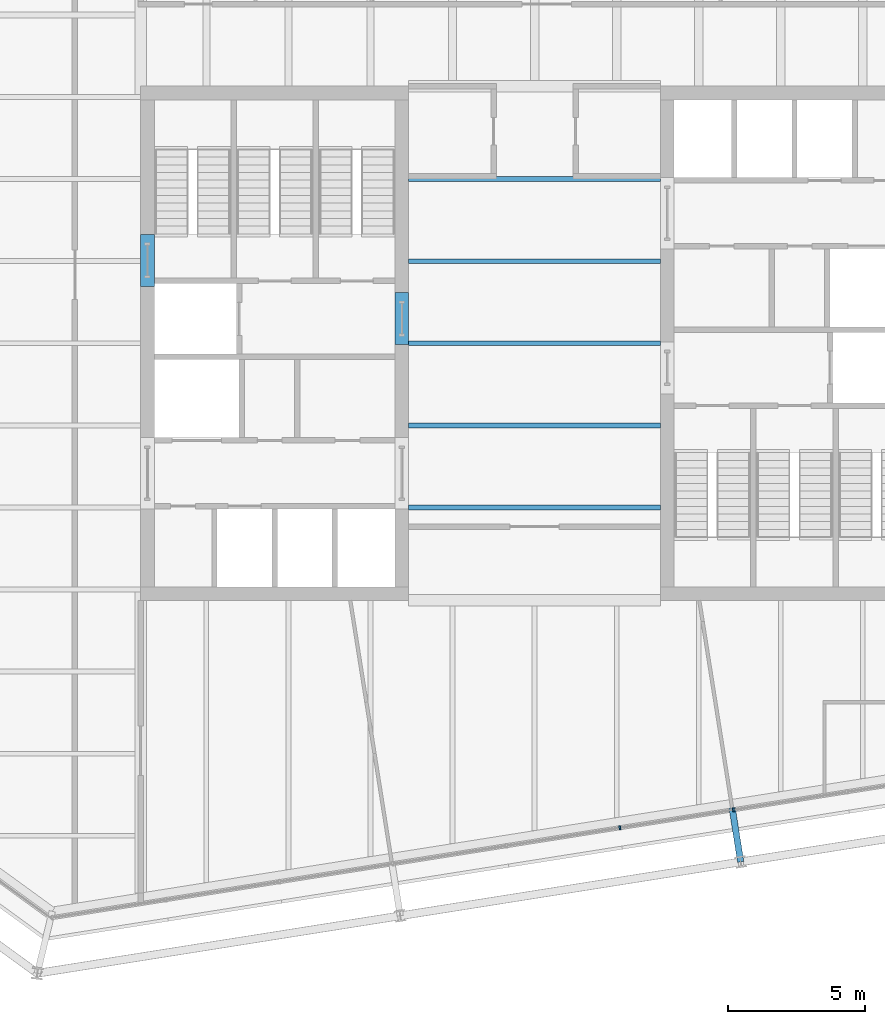
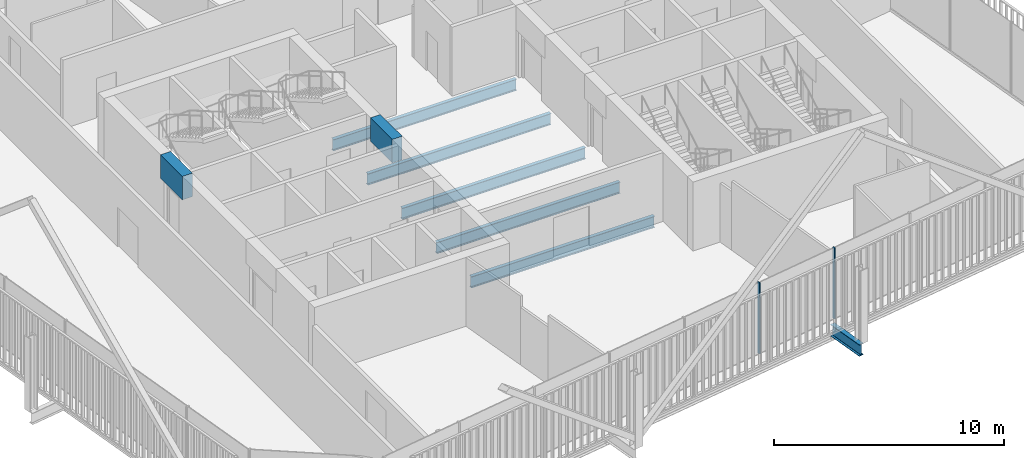
# One storey, part 8 of 21: 8 beams, 2 members, 1 element without a shape of its own.
"""IFC4 building model written with IfcOpenShell, lengths in metres."""

from ifc_helpers import new_model, si_unit, direction, frame, origin, origin_2d, place, context, subcontext, project, spatial, rectangle, i_section, extrude, material, layer, layer_set, material_profile, profile_set, type_object, element, aggregate, save


model = new_model("IFC4")

# Units and contexts
model_context = context("Model", 3, precision=1e-05, world=origin(), true_north=direction((0.0, 1.0)))
body_context = subcontext(model_context, "Body", "Model", "MODEL_VIEW")
ifc_project = project(units=[si_unit("LENGTHUNIT", "METRE"), si_unit("AREAUNIT", "SQUARE_METRE"), si_unit("VOLUMEUNIT", "CUBIC_METRE"), si_unit("PLANEANGLEUNIT", "RADIAN"), si_unit("MASSUNIT", "GRAM", prefix="KILO")], contexts=[model_context])

# Site, building, storey
site_placement = place(None, origin())
site = spatial("IfcSite", under=ifc_project, at=site_placement, CompositionType="ELEMENT")
building_placement = place(site_placement, origin())
building = spatial("IfcBuilding", under=site, at=building_placement, Name="Millrace Tower", CompositionType="ELEMENT")
storey_placement = place(building_placement, frame((0.0, 0.0, 235.89990234375)))
storey = spatial("IfcBuildingStorey", under=building, at=storey_placement, Name="L54", CompositionType="ELEMENT", Elevation=235.89990234375)

# Curtain wall, members
ifc_material_1 = material(Name="Aluminium and glass", Category="aluminium")
ifc_layer = layer(ifc_material_1, 0.14990234375)
ifc_layer_set = layer_set([ifc_layer], Name="Aluminium and glass")
curtain_wall_type = type_object("IfcCurtainWallType", Name="CW-1 office vision curtain wall", PredefinedType="NOTDEFINED", material=ifc_layer_set)
curtain_wall_placement = place(storey_placement, origin())
curtain_wall = element("IfcCurtainWall", 1, at=curtain_wall_placement, inside=storey, type_object=curtain_wall_type, Name="Curtain wall D-F02 L54", PredefinedType="NOTDEFINED")
ifc_material_2 = material(Name="Aluminium", Category="aluminium")
ifc_material_profile_1 = material_profile(ifc_material_2, rectangle(XDim=0.06494140625, YDim=0.14990234375, at=origin_2d()))
ifc_profile_set_1 = profile_set([ifc_material_profile_1], Name="Aluminium")
member_type = type_object("IfcMemberType", Name="CW-1 office vision curtain wall mullion", PredefinedType="MULLION", material=ifc_profile_set_1)
member_1_placement = place(storey_placement, frame((3.115966796875, -17.707275390625, 0.14013671875), z_axis=(0.0, 0.0, 1.0), x_axis=(0.987688339511, 0.156434471884, 0.0)))
member_1 = element("IfcMember", 2, at=member_1_placement, type_object=member_type, Name="CW1 mullion D-F02.6", PredefinedType="MULLION", context=body_context, shape_type="SweptSolid", body=[
    extrude(rectangle(XDim=0.06494140625, YDim=0.14990234375, at=origin_2d()), origin(), (0.0, 0.0, 1.0), 3.760009765625),
])
member_2_placement = place(storey_placement, frame((7.26416015625, -17.05029296875, 0.14013671875), z_axis=(0.0, 0.0, 1.0), x_axis=(0.987688339511, 0.156434471884, 0.0)))
member_2 = element("IfcMember", 3, at=member_2_placement, type_object=member_type, Name="CW1 mullion D-F02.7", PredefinedType="MULLION", context=body_context, shape_type="SweptSolid", body=[
    extrude(rectangle(XDim=0.06494140625, YDim=0.14990234375, at=origin_2d()), origin(), (0.0, 0.0, 1.0), 3.760009765625),
])
aggregate(curtain_wall, [member_1, member_2])

# Beams
ifc_material_3 = material(Name="Concrete C60", Category="concrete")
ifc_material_profile_2 = material_profile(ifc_material_3, rectangle(XDim=0.5, YDim=1.25, at=origin_2d()))
ifc_profile_set_2 = profile_set([ifc_material_profile_2], Name="Concrete C60")
beam_type_1 = type_object("IfcBeamType", Name="Coupling beam 500 x 1250 Concrete C60, 1300 opening", PredefinedType="BEAM", material=ifc_profile_set_2)
beam_1_placement = place(storey_placement, frame((-14.14990234375, 2.080078125, 3.025146484375), z_axis=(0.0, 1.0, 0.0), x_axis=(-1.0, 0.0, 0.0)))
element("IfcBeam", 4, at=beam_1_placement, inside=storey, type_object=beam_type_1, Name="Coupling beam W L54", PredefinedType="BEAM", context=body_context, shape_type="SweptSolid", body=[
    extrude(rectangle(XDim=0.5, YDim=1.25, at=origin_2d()), origin(), (0.0, 0.0, 1.0), 1.89990234375),
])
beam_2_placement = place(storey_placement, frame((-4.85009765625, -0.050048828125, 3.025146484375), z_axis=(0.0, 1.0, 0.0), x_axis=(-1.0, 0.0, 0.0)))
element("IfcBeam", 5, at=beam_2_placement, inside=storey, type_object=beam_type_1, Name="Coupling beam W L54", PredefinedType="BEAM", context=body_context, shape_type="SweptSolid", body=[
    extrude(rectangle(XDim=0.5, YDim=1.25, at=origin_2d()), origin(), (0.0, 0.0, 1.0), 1.900146484375),
])
ifc_material_4 = material(Name="Steel ASTM A992 Grade 50", Category="steel")
ifc_material_profile_3 = material_profile(ifc_material_4, i_section(OverallWidth=0.177978515625, OverallDepth=0.599365234375, WebThickness=0.010009765625, FlangeThickness=0.012939453125, FilletRadius=0.012939453125, at=origin_2d()))
ifc_profile_set_3 = profile_set([ifc_material_profile_3], Name="Steel ASTM A992 Grade 50")
beam_type_2 = type_object("IfcBeamType", Name="Floor beam W24x55", PredefinedType="JOIST", material=ifc_profile_set_3)
for number, where, z_axis, x_axis, name in (
    (6, (-4.60009765625, -6.0, -0.459716796875), (1.0, 0.0, 0.0), (0.0, 1.0, 0.0), "BM-D-L54-S1-S008"),
    (7, (-4.60009765625, -3.0, -0.459716796875), (1.0, 0.0, 0.0), (0.0, 1.0, 0.0), "BM-D-L54-S1-S011"),
    (8, (-4.60009765625, 0.0, -0.459716796875), (1.0, 0.0, 0.0), (0.0, 1.0, 0.0), "BM-D-L54-S1-S014"),
    (9, (-4.60009765625, 3.0, -0.459716796875), (1.0, 0.0, 0.0), (0.0, 1.0, 0.0), "BM-D-L54-S1-S017"),
    (10, (-4.60009765625, 6.0, -0.459716796875), (1.0, 0.0, 0.0), (0.0, 1.0, 0.0), "BM-D-L54-S1-S020"),
):
    element("IfcBeam", number, at=place(storey_placement, frame(where, z_axis=z_axis, x_axis=x_axis)), inside=storey, type_object=beam_type_2, Name=name, PredefinedType="JOIST", context=body_context, shape_type="SweptSolid", body=[
        extrude(i_section(OverallWidth=0.177978515625, OverallDepth=0.599365234375, WebThickness=0.010009765625, FlangeThickness=0.012939453125, FilletRadius=0.012939453125, at=origin_2d()), origin(), (0.0, 0.0, 1.0), 9.2001953125),
    ])
ifc_material_5 = material(Name="Steel ASTM A992 Grade 50", Category="steel")
ifc_material_profile_4 = material_profile(ifc_material_5, i_section(OverallWidth=0.23046875, OverallDepth=0.6171875, WebThickness=0.01318359375, FlangeThickness=0.022216796875, FilletRadius=0.012939453125, at=origin_2d()))
ifc_profile_set_4 = profile_set([ifc_material_profile_4], Name="Steel ASTM A992 Grade 50")
beam_type_3 = type_object("IfcBeamType", Name="Link beam W24x94", PredefinedType="BEAM", material=ifc_profile_set_4)
beam_3_placement = place(storey_placement, frame((7.220458984375, -16.981201171875, -0.468505859375), z_axis=(0.156357438014, -0.987700537399, 0.0), x_axis=(0.987700537399, 0.156357438014, 0.0)))
element("IfcBeam", 11, at=beam_3_placement, inside=storey, type_object=beam_type_3, Name="LNK-D-L54-S1-14", PredefinedType="BEAM", context=body_context, shape_type="SweptSolid", body=[
    extrude(i_section(OverallWidth=0.23046875, OverallDepth=0.6171875, WebThickness=0.01318359375, FlangeThickness=0.022216796875, FilletRadius=0.012939453125, at=origin_2d()), origin(), (0.0, 0.0, 1.0), 2.000244140625),
])

save(model, "model.ifc")
